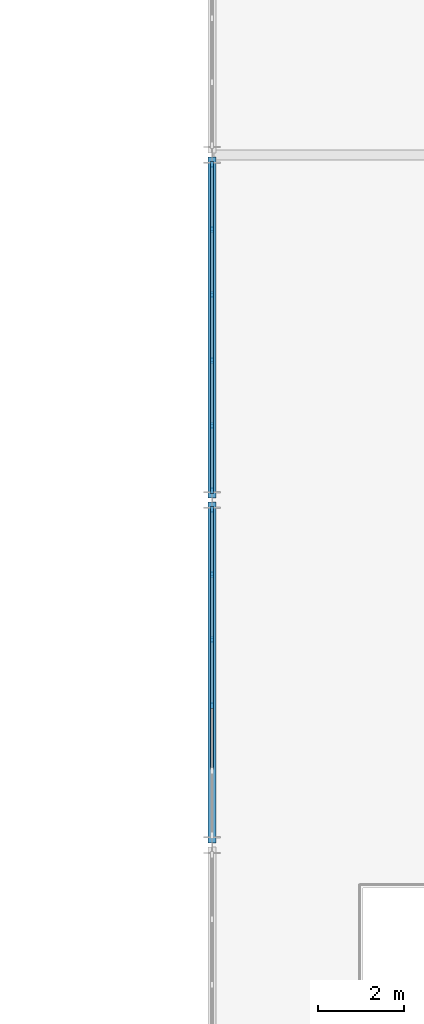
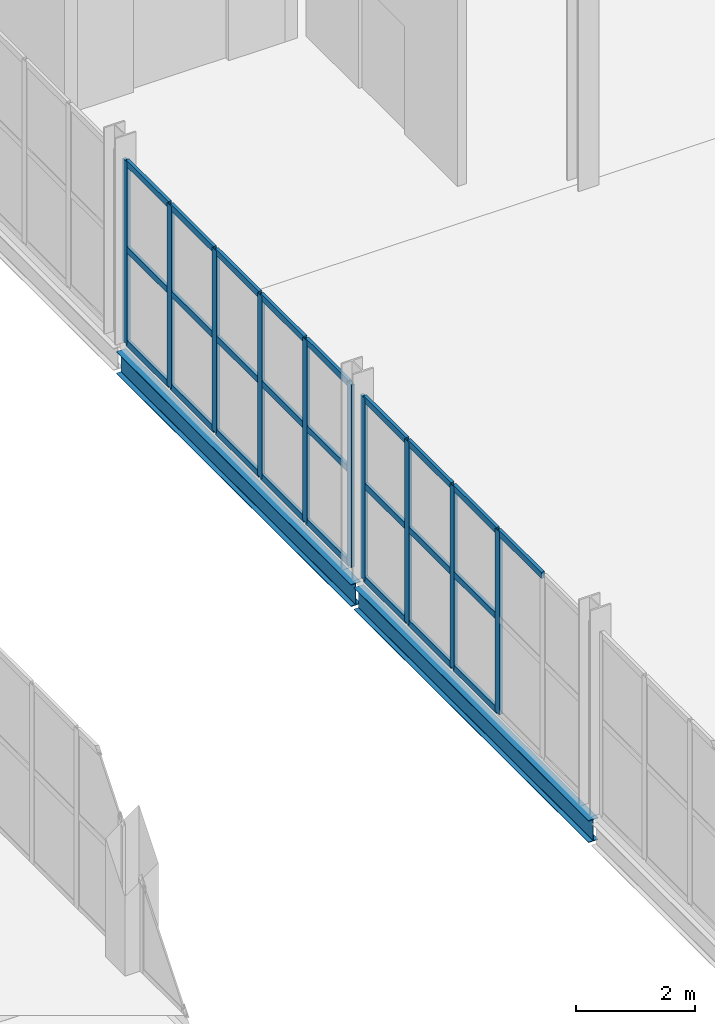
# One storey, part 21 of 85: 35 members, 2 beams, 2 elements without a shape of their own.
"""IFC4 building model written with IfcOpenShell, lengths in metres."""

from ifc_helpers import new_model, si_unit, direction, frame, origin, origin_2d, place, context, subcontext, project, spatial, rectangle, i_section, extrude, material, layer, layer_set, material_profile, profile_set, type_object, element, aggregate, save


model = new_model("IFC4")

# Units and contexts
model_context = context("Model", 3, precision=1e-05, world=origin(), true_north=direction((0.0, 1.0)))
body_context = subcontext(model_context, "Body", "Model", "MODEL_VIEW")
ifc_project = project(units=[si_unit("LENGTHUNIT", "METRE"), si_unit("AREAUNIT", "SQUARE_METRE"), si_unit("VOLUMEUNIT", "CUBIC_METRE"), si_unit("PLANEANGLEUNIT", "RADIAN"), si_unit("MASSUNIT", "GRAM", prefix="KILO")], contexts=[model_context])

# Site, building, storey
site_placement = place(None, origin())
site = spatial("IfcSite", under=ifc_project, at=site_placement, CompositionType="ELEMENT")
building_placement = place(site_placement, origin())
building = spatial("IfcBuilding", under=site, at=building_placement, Name="Marnock Terrace Opera House", CompositionType="ELEMENT")
storey_placement = place(building_placement, frame((0.0, 0.0, 10.199951171875)))
storey = spatial("IfcBuildingStorey", under=building, at=storey_placement, Name="L02", CompositionType="ELEMENT", Elevation=10.199951171875)

# Beams
ifc_material_1 = material(Name="Steel Grade 350 (AS/NZS 3679.1)", Category="steel")
ifc_material_profile_1 = material_profile(ifc_material_1, i_section(OverallWidth=0.18994140625, OverallDepth=0.45751953125, WebThickness=0.009033203125, FlangeThickness=0.014404296875, FilletRadius=0.011474609375, at=origin_2d()))
ifc_profile_set_1 = profile_set([ifc_material_profile_1], Name="Steel Grade 350 (AS/NZS 3679.1)")
beam_type = type_object("IfcBeamType", Name="BM-GIRD-460B", PredefinedType="BEAM", material=ifc_profile_set_1)
for number, where, z_axis, x_axis, name in (
    (1, (55.0, 24.050048828125, -0.48876953125), (0.0, 1.0, 0.0), (-1.0, 0.0, 0.0), "L02 girder (X=55.0, 24.0..32.0)"),
    (2, (55.0, 32.050048828125, -0.48876953125), (0.0, 1.0, 0.0), (-1.0, 0.0, 0.0), "L02 girder (X=55.0, 32.0..40.0)"),
):
    element("IfcBeam", number, at=place(storey_placement, frame(where, z_axis=z_axis, x_axis=x_axis)), inside=storey, type_object=beam_type, Name=name, PredefinedType="BEAM", context=body_context, shape_type="SweptSolid", body=[
        extrude(i_section(OverallWidth=0.18994140625, OverallDepth=0.45751953125, WebThickness=0.009033203125, FlangeThickness=0.014404296875, FilletRadius=0.011474609375, at=origin_2d()), origin(), (0.0, 0.0, 1.0), 7.89990234375),
    ])

# Curtain wall, members
ifc_material_2 = material(Name="Anodised architectural bronze aluminium framing", Category="aluminium")
ifc_layer = layer(ifc_material_2, 0.159912109375)
ifc_layer_set = layer_set([ifc_layer], Name="Anodised architectural bronze aluminium framing")
curtain_wall_type = type_object("IfcCurtainWallType", Name="CW-FOYER-80x42", PredefinedType="NOTDEFINED", material=ifc_layer_set)
curtain_wall_1_placement = place(storey_placement, origin())
curtain_wall_1 = element("IfcCurtainWall", 3, at=curtain_wall_1_placement, inside=storey, type_object=curtain_wall_type, Name="L02 glazed Beaux-Arts colonnade curtain wall CW-V1W-L02-03", PredefinedType="NOTDEFINED")
ifc_material_profile_2 = material_profile(ifc_material_2, rectangle(XDim=0.06005859375, YDim=0.14990234375, at=origin_2d()))
ifc_profile_set_2 = profile_set([ifc_material_profile_2], Name="Anodised architectural bronze aluminium framing")
member_type_1 = type_object("IfcMemberType", Name="CWM-60x150", PredefinedType="MULLION", material=ifc_profile_set_2)
member_1_placement = place(storey_placement, frame((55.0, 27.2392578125, 0.0), z_axis=(0.0, 0.0, 1.0), x_axis=(-1.0, 0.0, 0.0)))
member_1 = element("IfcMember", 4, at=member_1_placement, type_object=member_type_1, Name="CW-62 mullion 3", PredefinedType="MULLION", context=body_context, shape_type="SweptSolid", body=[
    extrude(rectangle(XDim=0.06005859375, YDim=0.14990234375, at=origin_2d()), origin(), (0.0, 0.0, 1.0), 3.752685546875),
])
member_2_placement = place(storey_placement, frame((55.0, 28.7607421875, 0.0), z_axis=(0.0, 0.0, 1.0), x_axis=(-1.0, 0.0, 0.0)))
member_2 = element("IfcMember", 5, at=member_2_placement, type_object=member_type_1, Name="CW-62 mullion 4", PredefinedType="MULLION", context=body_context, shape_type="SweptSolid", body=[
    extrude(rectangle(XDim=0.06005859375, YDim=0.14990234375, at=origin_2d()), origin(), (0.0, 0.0, 1.0), 3.752685546875),
])
member_3_placement = place(storey_placement, frame((55.0, 30.282470703125, 0.0), z_axis=(0.0, 0.0, 1.0), x_axis=(-1.0, 0.0, 0.0)))
member_3 = element("IfcMember", 6, at=member_3_placement, type_object=member_type_1, Name="CW-62 mullion 5", PredefinedType="MULLION", context=body_context, shape_type="SweptSolid", body=[
    extrude(rectangle(XDim=0.06005859375, YDim=0.14990234375, at=origin_2d()), origin(), (0.0, 0.0, 1.0), 3.752685546875),
])
member_4_placement = place(storey_placement, frame((55.0, 31.77392578125, 0.0), z_axis=(0.0, 0.0, 1.0), x_axis=(-1.0, 0.0, 0.0)))
member_4 = element("IfcMember", 7, at=member_4_placement, type_object=member_type_1, Name="CW-62 mullion 6", PredefinedType="MULLION", context=body_context, shape_type="SweptSolid", body=[
    extrude(rectangle(XDim=0.06005859375, YDim=0.14990234375, at=origin_2d()), origin(), (0.0, 0.0, 1.0), 3.752685546875),
])

curtain_wall_2_placement = place(storey_placement, origin())
curtain_wall_2 = element("IfcCurtainWall", 8, at=curtain_wall_2_placement, inside=storey, type_object=curtain_wall_type, Name="L02 glazed Beaux-Arts colonnade curtain wall CW-V1W-L02-04", PredefinedType="NOTDEFINED")
member_5_placement = place(storey_placement, frame((55.0, 32.22607421875, 0.0), z_axis=(0.0, 0.0, 1.0), x_axis=(-1.0, 0.0, 0.0)))
member_5 = element("IfcMember", 9, at=member_5_placement, type_object=member_type_1, Name="CW-62 mullion 1", PredefinedType="MULLION", context=body_context, shape_type="SweptSolid", body=[
    extrude(rectangle(XDim=0.06005859375, YDim=0.14990234375, at=origin_2d()), origin(), (0.0, 0.0, 1.0), 3.752685546875),
])
member_6_placement = place(storey_placement, frame((55.0, 33.717529296875, 0.0), z_axis=(0.0, 0.0, 1.0), x_axis=(-1.0, 0.0, 0.0)))
member_6 = element("IfcMember", 10, at=member_6_placement, type_object=member_type_1, Name="CW-62 mullion 2", PredefinedType="MULLION", context=body_context, shape_type="SweptSolid", body=[
    extrude(rectangle(XDim=0.06005859375, YDim=0.14990234375, at=origin_2d()), origin(), (0.0, 0.0, 1.0), 3.752685546875),
])
member_7_placement = place(storey_placement, frame((55.0, 35.2392578125, 0.0), z_axis=(0.0, 0.0, 1.0), x_axis=(-1.0, 0.0, 0.0)))
member_7 = element("IfcMember", 11, at=member_7_placement, type_object=member_type_1, Name="CW-62 mullion 3", PredefinedType="MULLION", context=body_context, shape_type="SweptSolid", body=[
    extrude(rectangle(XDim=0.06005859375, YDim=0.14990234375, at=origin_2d()), origin(), (0.0, 0.0, 1.0), 3.752685546875),
])
member_8_placement = place(storey_placement, frame((55.0, 36.7607421875, 0.0), z_axis=(0.0, 0.0, 1.0), x_axis=(-1.0, 0.0, 0.0)))
member_8 = element("IfcMember", 12, at=member_8_placement, type_object=member_type_1, Name="CW-62 mullion 4", PredefinedType="MULLION", context=body_context, shape_type="SweptSolid", body=[
    extrude(rectangle(XDim=0.06005859375, YDim=0.14990234375, at=origin_2d()), origin(), (0.0, 0.0, 1.0), 3.752685546875),
])
member_9_placement = place(storey_placement, frame((55.0, 38.282470703125, 0.0), z_axis=(0.0, 0.0, 1.0), x_axis=(-1.0, 0.0, 0.0)))
member_9 = element("IfcMember", 13, at=member_9_placement, type_object=member_type_1, Name="CW-62 mullion 5", PredefinedType="MULLION", context=body_context, shape_type="SweptSolid", body=[
    extrude(rectangle(XDim=0.06005859375, YDim=0.14990234375, at=origin_2d()), origin(), (0.0, 0.0, 1.0), 3.752685546875),
])
member_10_placement = place(storey_placement, frame((55.0, 39.77392578125, 0.0), z_axis=(0.0, 0.0, 1.0), x_axis=(-1.0, 0.0, 0.0)))
member_10 = element("IfcMember", 14, at=member_10_placement, type_object=member_type_1, Name="CW-62 mullion 6", PredefinedType="MULLION", context=body_context, shape_type="SweptSolid", body=[
    extrude(rectangle(XDim=0.06005859375, YDim=0.14990234375, at=origin_2d()), origin(), (0.0, 0.0, 1.0), 3.752685546875),
])

# Member
ifc_material_profile_3 = material_profile(ifc_material_2, rectangle(XDim=0.06005859375, YDim=0.1298828125, at=origin_2d()))
ifc_profile_set_3 = profile_set([ifc_material_profile_3], Name="Anodised architectural bronze aluminium framing")
member_type_2 = type_object("IfcMemberType", Name="CWT-60x130", PredefinedType="USERDEFINED", material=ifc_profile_set_3)
member_11_placement = place(storey_placement, frame((55.0, 25.74755859375, 3.72265625), z_axis=(0.0, 1.0, 0.0), x_axis=(-1.0, 0.0, 0.0)))
member_11 = element("IfcMember", 15, at=member_11_placement, type_object=member_type_2, Name="CW-62 transom 2.3", ObjectType="TRANSOM", PredefinedType="USERDEFINED", context=body_context, shape_type="SweptSolid", body=[
    extrude(rectangle(XDim=0.06005859375, YDim=0.1298828125, at=origin_2d()), origin(), (0.0, 0.0, 1.0), 1.461669921875),
])

member_12_placement = place(storey_placement, frame((55.0, 27.269287109375, 0.030029296875), z_axis=(0.0, 1.0, 0.0), x_axis=(-1.0, 0.0, 0.0)))
member_12 = element("IfcMember", 16, at=member_12_placement, type_object=member_type_2, Name="CW-62 transom 3.1", ObjectType="TRANSOM", PredefinedType="USERDEFINED", context=body_context, shape_type="SweptSolid", body=[
    extrude(rectangle(XDim=0.06005859375, YDim=0.1298828125, at=origin_2d()), origin(), (0.0, 0.0, 1.0), 1.46142578125),
])

member_13_placement = place(storey_placement, frame((55.0, 27.269287109375, 1.951416015625), z_axis=(0.0, 1.0, 0.0), x_axis=(-1.0, 0.0, 0.0)))
member_13 = element("IfcMember", 17, at=member_13_placement, type_object=member_type_2, Name="CW-62 transom 3.2", ObjectType="TRANSOM", PredefinedType="USERDEFINED", context=body_context, shape_type="SweptSolid", body=[
    extrude(rectangle(XDim=0.06005859375, YDim=0.1298828125, at=origin_2d()), origin(), (0.0, 0.0, 1.0), 1.46142578125),
])

member_14_placement = place(storey_placement, frame((55.0, 27.269287109375, 3.72265625), z_axis=(0.0, 1.0, 0.0), x_axis=(-1.0, 0.0, 0.0)))
member_14 = element("IfcMember", 18, at=member_14_placement, type_object=member_type_2, Name="CW-62 transom 3.3", ObjectType="TRANSOM", PredefinedType="USERDEFINED", context=body_context, shape_type="SweptSolid", body=[
    extrude(rectangle(XDim=0.06005859375, YDim=0.1298828125, at=origin_2d()), origin(), (0.0, 0.0, 1.0), 1.46142578125),
])

member_15_placement = place(storey_placement, frame((55.0, 28.790771484375, 0.030029296875), z_axis=(0.0, 1.0, 0.0), x_axis=(-1.0, 0.0, 0.0)))
member_15 = element("IfcMember", 19, at=member_15_placement, type_object=member_type_2, Name="CW-62 transom 4.1", ObjectType="TRANSOM", PredefinedType="USERDEFINED", context=body_context, shape_type="SweptSolid", body=[
    extrude(rectangle(XDim=0.06005859375, YDim=0.1298828125, at=origin_2d()), origin(), (0.0, 0.0, 1.0), 1.461669921875),
])

member_16_placement = place(storey_placement, frame((55.0, 28.790771484375, 1.951416015625), z_axis=(0.0, 1.0, 0.0), x_axis=(-1.0, 0.0, 0.0)))
member_16 = element("IfcMember", 20, at=member_16_placement, type_object=member_type_2, Name="CW-62 transom 4.2", ObjectType="TRANSOM", PredefinedType="USERDEFINED", context=body_context, shape_type="SweptSolid", body=[
    extrude(rectangle(XDim=0.06005859375, YDim=0.1298828125, at=origin_2d()), origin(), (0.0, 0.0, 1.0), 1.461669921875),
])

member_17_placement = place(storey_placement, frame((55.0, 28.790771484375, 3.72265625), z_axis=(0.0, 1.0, 0.0), x_axis=(-1.0, 0.0, 0.0)))
member_17 = element("IfcMember", 21, at=member_17_placement, type_object=member_type_2, Name="CW-62 transom 4.3", ObjectType="TRANSOM", PredefinedType="USERDEFINED", context=body_context, shape_type="SweptSolid", body=[
    extrude(rectangle(XDim=0.06005859375, YDim=0.1298828125, at=origin_2d()), origin(), (0.0, 0.0, 1.0), 1.461669921875),
])

member_18_placement = place(storey_placement, frame((55.0, 30.3125, 0.030029296875), z_axis=(0.0, 1.0, 0.0), x_axis=(-1.0, 0.0, 0.0)))
member_18 = element("IfcMember", 22, at=member_18_placement, type_object=member_type_2, Name="CW-62 transom 5.1", ObjectType="TRANSOM", PredefinedType="USERDEFINED", context=body_context, shape_type="SweptSolid", body=[
    extrude(rectangle(XDim=0.06005859375, YDim=0.1298828125, at=origin_2d()), origin(), (0.0, 0.0, 1.0), 1.431396484375),
])

member_19_placement = place(storey_placement, frame((55.0, 30.3125, 1.951416015625), z_axis=(0.0, 1.0, 0.0), x_axis=(-1.0, 0.0, 0.0)))
member_19 = element("IfcMember", 23, at=member_19_placement, type_object=member_type_2, Name="CW-62 transom 5.2", ObjectType="TRANSOM", PredefinedType="USERDEFINED", context=body_context, shape_type="SweptSolid", body=[
    extrude(rectangle(XDim=0.06005859375, YDim=0.1298828125, at=origin_2d()), origin(), (0.0, 0.0, 1.0), 1.431396484375),
])

member_20_placement = place(storey_placement, frame((55.0, 30.3125, 3.72265625), z_axis=(0.0, 1.0, 0.0), x_axis=(-1.0, 0.0, 0.0)))
member_20 = element("IfcMember", 24, at=member_20_placement, type_object=member_type_2, Name="CW-62 transom 5.3", ObjectType="TRANSOM", PredefinedType="USERDEFINED", context=body_context, shape_type="SweptSolid", body=[
    extrude(rectangle(XDim=0.06005859375, YDim=0.1298828125, at=origin_2d()), origin(), (0.0, 0.0, 1.0), 1.431396484375),
])

aggregate(curtain_wall_1, [member_1, member_2, member_3, member_4, member_11, member_12, member_13, member_14, member_15, member_16, member_17, member_18, member_19, member_20])

member_21_placement = place(storey_placement, frame((55.0, 32.256103515625, 0.030029296875), z_axis=(0.0, 1.0, 0.0), x_axis=(-1.0, 0.0, 0.0)))
member_21 = element("IfcMember", 25, at=member_21_placement, type_object=member_type_2, Name="CW-62 transom 1.1", ObjectType="TRANSOM", PredefinedType="USERDEFINED", context=body_context, shape_type="SweptSolid", body=[
    extrude(rectangle(XDim=0.06005859375, YDim=0.1298828125, at=origin_2d()), origin(), (0.0, 0.0, 1.0), 1.431396484375),
])

member_22_placement = place(storey_placement, frame((55.0, 32.256103515625, 1.951416015625), z_axis=(0.0, 1.0, 0.0), x_axis=(-1.0, 0.0, 0.0)))
member_22 = element("IfcMember", 26, at=member_22_placement, type_object=member_type_2, Name="CW-62 transom 1.2", ObjectType="TRANSOM", PredefinedType="USERDEFINED", context=body_context, shape_type="SweptSolid", body=[
    extrude(rectangle(XDim=0.06005859375, YDim=0.1298828125, at=origin_2d()), origin(), (0.0, 0.0, 1.0), 1.431396484375),
])

member_23_placement = place(storey_placement, frame((55.0, 32.256103515625, 3.72265625), z_axis=(0.0, 1.0, 0.0), x_axis=(-1.0, 0.0, 0.0)))
member_23 = element("IfcMember", 27, at=member_23_placement, type_object=member_type_2, Name="CW-62 transom 1.3", ObjectType="TRANSOM", PredefinedType="USERDEFINED", context=body_context, shape_type="SweptSolid", body=[
    extrude(rectangle(XDim=0.06005859375, YDim=0.1298828125, at=origin_2d()), origin(), (0.0, 0.0, 1.0), 1.431396484375),
])

member_24_placement = place(storey_placement, frame((55.0, 33.74755859375, 0.030029296875), z_axis=(0.0, 1.0, 0.0), x_axis=(-1.0, 0.0, 0.0)))
member_24 = element("IfcMember", 28, at=member_24_placement, type_object=member_type_2, Name="CW-62 transom 2.1", ObjectType="TRANSOM", PredefinedType="USERDEFINED", context=body_context, shape_type="SweptSolid", body=[
    extrude(rectangle(XDim=0.06005859375, YDim=0.1298828125, at=origin_2d()), origin(), (0.0, 0.0, 1.0), 1.461669921875),
])

member_25_placement = place(storey_placement, frame((55.0, 33.74755859375, 1.951416015625), z_axis=(0.0, 1.0, 0.0), x_axis=(-1.0, 0.0, 0.0)))
member_25 = element("IfcMember", 29, at=member_25_placement, type_object=member_type_2, Name="CW-62 transom 2.2", ObjectType="TRANSOM", PredefinedType="USERDEFINED", context=body_context, shape_type="SweptSolid", body=[
    extrude(rectangle(XDim=0.06005859375, YDim=0.1298828125, at=origin_2d()), origin(), (0.0, 0.0, 1.0), 1.461669921875),
])

member_26_placement = place(storey_placement, frame((55.0, 33.74755859375, 3.72265625), z_axis=(0.0, 1.0, 0.0), x_axis=(-1.0, 0.0, 0.0)))
member_26 = element("IfcMember", 30, at=member_26_placement, type_object=member_type_2, Name="CW-62 transom 2.3", ObjectType="TRANSOM", PredefinedType="USERDEFINED", context=body_context, shape_type="SweptSolid", body=[
    extrude(rectangle(XDim=0.06005859375, YDim=0.1298828125, at=origin_2d()), origin(), (0.0, 0.0, 1.0), 1.461669921875),
])

member_27_placement = place(storey_placement, frame((55.0, 35.269287109375, 0.030029296875), z_axis=(0.0, 1.0, 0.0), x_axis=(-1.0, 0.0, 0.0)))
member_27 = element("IfcMember", 31, at=member_27_placement, type_object=member_type_2, Name="CW-62 transom 3.1", ObjectType="TRANSOM", PredefinedType="USERDEFINED", context=body_context, shape_type="SweptSolid", body=[
    extrude(rectangle(XDim=0.06005859375, YDim=0.1298828125, at=origin_2d()), origin(), (0.0, 0.0, 1.0), 1.46142578125),
])

member_28_placement = place(storey_placement, frame((55.0, 35.269287109375, 1.951416015625), z_axis=(0.0, 1.0, 0.0), x_axis=(-1.0, 0.0, 0.0)))
member_28 = element("IfcMember", 32, at=member_28_placement, type_object=member_type_2, Name="CW-62 transom 3.2", ObjectType="TRANSOM", PredefinedType="USERDEFINED", context=body_context, shape_type="SweptSolid", body=[
    extrude(rectangle(XDim=0.06005859375, YDim=0.1298828125, at=origin_2d()), origin(), (0.0, 0.0, 1.0), 1.46142578125),
])

member_29_placement = place(storey_placement, frame((55.0, 35.269287109375, 3.72265625), z_axis=(0.0, 1.0, 0.0), x_axis=(-1.0, 0.0, 0.0)))
member_29 = element("IfcMember", 33, at=member_29_placement, type_object=member_type_2, Name="CW-62 transom 3.3", ObjectType="TRANSOM", PredefinedType="USERDEFINED", context=body_context, shape_type="SweptSolid", body=[
    extrude(rectangle(XDim=0.06005859375, YDim=0.1298828125, at=origin_2d()), origin(), (0.0, 0.0, 1.0), 1.46142578125),
])

member_30_placement = place(storey_placement, frame((55.0, 36.790771484375, 0.030029296875), z_axis=(0.0, 1.0, 0.0), x_axis=(-1.0, 0.0, 0.0)))
member_30 = element("IfcMember", 34, at=member_30_placement, type_object=member_type_2, Name="CW-62 transom 4.1", ObjectType="TRANSOM", PredefinedType="USERDEFINED", context=body_context, shape_type="SweptSolid", body=[
    extrude(rectangle(XDim=0.06005859375, YDim=0.1298828125, at=origin_2d()), origin(), (0.0, 0.0, 1.0), 1.461669921875),
])

member_31_placement = place(storey_placement, frame((55.0, 36.790771484375, 1.951416015625), z_axis=(0.0, 1.0, 0.0), x_axis=(-1.0, 0.0, 0.0)))
member_31 = element("IfcMember", 35, at=member_31_placement, type_object=member_type_2, Name="CW-62 transom 4.2", ObjectType="TRANSOM", PredefinedType="USERDEFINED", context=body_context, shape_type="SweptSolid", body=[
    extrude(rectangle(XDim=0.06005859375, YDim=0.1298828125, at=origin_2d()), origin(), (0.0, 0.0, 1.0), 1.461669921875),
])

member_32_placement = place(storey_placement, frame((55.0, 36.790771484375, 3.72265625), z_axis=(0.0, 1.0, 0.0), x_axis=(-1.0, 0.0, 0.0)))
member_32 = element("IfcMember", 36, at=member_32_placement, type_object=member_type_2, Name="CW-62 transom 4.3", ObjectType="TRANSOM", PredefinedType="USERDEFINED", context=body_context, shape_type="SweptSolid", body=[
    extrude(rectangle(XDim=0.06005859375, YDim=0.1298828125, at=origin_2d()), origin(), (0.0, 0.0, 1.0), 1.461669921875),
])

member_33_placement = place(storey_placement, frame((55.0, 38.3125, 0.030029296875), z_axis=(0.0, 1.0, 0.0), x_axis=(-1.0, 0.0, 0.0)))
member_33 = element("IfcMember", 37, at=member_33_placement, type_object=member_type_2, Name="CW-62 transom 5.1", ObjectType="TRANSOM", PredefinedType="USERDEFINED", context=body_context, shape_type="SweptSolid", body=[
    extrude(rectangle(XDim=0.06005859375, YDim=0.1298828125, at=origin_2d()), origin(), (0.0, 0.0, 1.0), 1.431396484375),
])

member_34_placement = place(storey_placement, frame((55.0, 38.3125, 1.951416015625), z_axis=(0.0, 1.0, 0.0), x_axis=(-1.0, 0.0, 0.0)))
member_34 = element("IfcMember", 38, at=member_34_placement, type_object=member_type_2, Name="CW-62 transom 5.2", ObjectType="TRANSOM", PredefinedType="USERDEFINED", context=body_context, shape_type="SweptSolid", body=[
    extrude(rectangle(XDim=0.06005859375, YDim=0.1298828125, at=origin_2d()), origin(), (0.0, 0.0, 1.0), 1.431396484375),
])

member_35_placement = place(storey_placement, frame((55.0, 38.3125, 3.72265625), z_axis=(0.0, 1.0, 0.0), x_axis=(-1.0, 0.0, 0.0)))
member_35 = element("IfcMember", 39, at=member_35_placement, type_object=member_type_2, Name="CW-62 transom 5.3", ObjectType="TRANSOM", PredefinedType="USERDEFINED", context=body_context, shape_type="SweptSolid", body=[
    extrude(rectangle(XDim=0.06005859375, YDim=0.1298828125, at=origin_2d()), origin(), (0.0, 0.0, 1.0), 1.431396484375),
])

aggregate(curtain_wall_2, [member_5, member_6, member_7, member_8, member_9, member_10, member_21, member_22, member_23, member_24, member_25, member_26, member_27, member_28, member_29, member_30, member_31, member_32, member_33, member_34, member_35])

save(model, "model.ifc")
